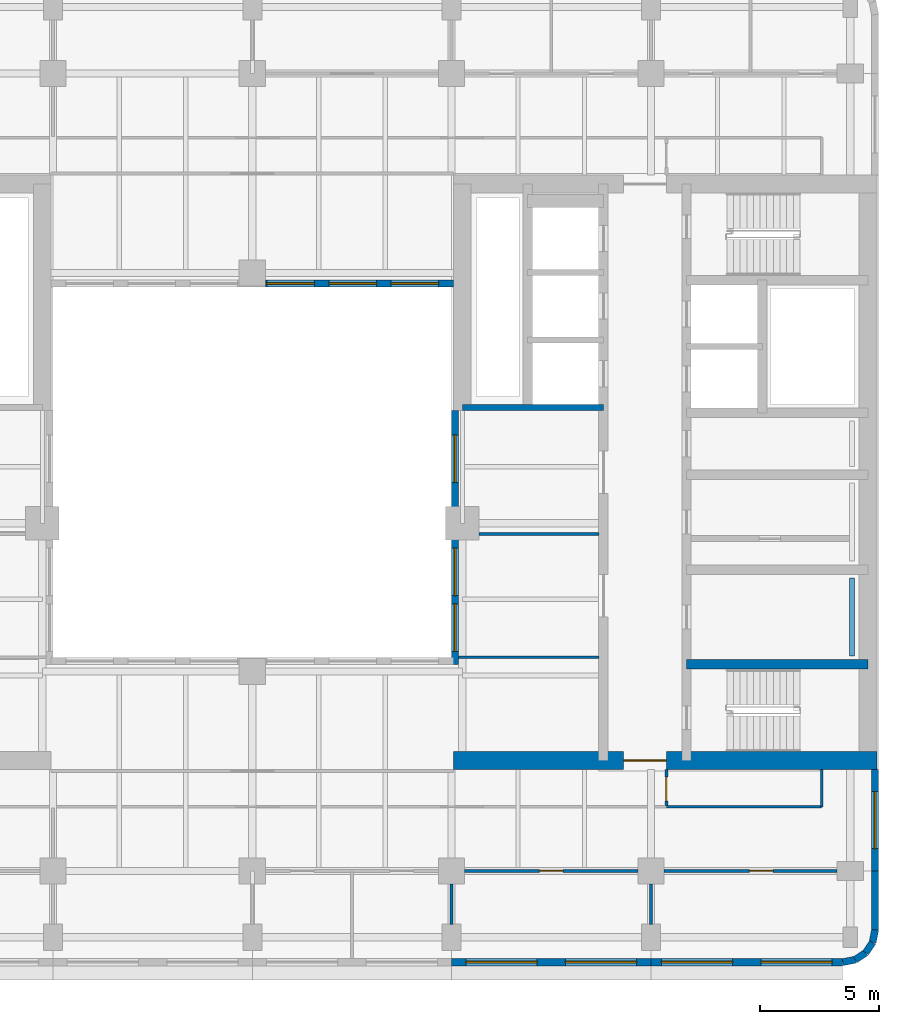
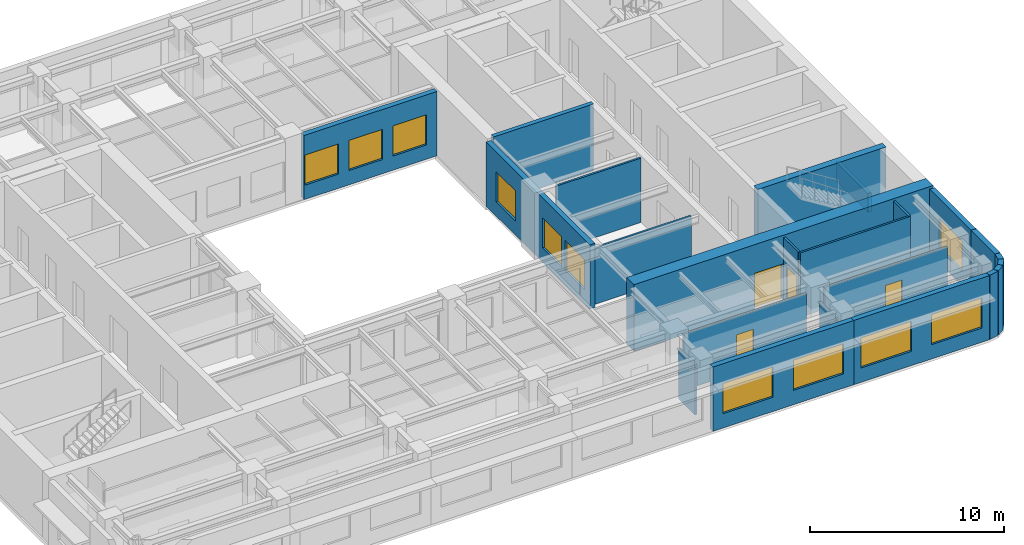
# One storey, part 5 of 11: 23 walls, 11 windows, 4 doors, 15 openings.
"""IFC4 building model written with IfcOpenShell, lengths in metres."""

from ifc_helpers import new_model, si_unit, direction, frame, frame_2d, origin, place, context, subcontext, project, spatial, rectangle, extrude, material, layer, layer_set, type_object, element, fill, save


model = new_model("IFC4")

# Units and contexts
model_context = context("Model", 3, precision=1e-05, world=origin(), true_north=direction((0.0, 1.0)))
body_context = subcontext(model_context, "Body", "Model", "MODEL_VIEW")
ifc_project = project(units=[si_unit("LENGTHUNIT", "METRE"), si_unit("AREAUNIT", "SQUARE_METRE"), si_unit("VOLUMEUNIT", "CUBIC_METRE"), si_unit("PLANEANGLEUNIT", "RADIAN"), si_unit("MASSUNIT", "GRAM", prefix="KILO")], contexts=[model_context])

# Site, building, storey
site_placement = place(None, origin())
site = spatial("IfcSite", under=ifc_project, at=site_placement, CompositionType="ELEMENT")
building_placement = place(site_placement, origin())
building = spatial("IfcBuilding", under=site, at=building_placement, Name="Claustro Exchange Tower", CompositionType="ELEMENT")
storey_placement = place(building_placement, frame((0.0, 0.0, 236.39990234375)))
storey = spatial("IfcBuildingStorey", under=building, at=storey_placement, Name="L54", CompositionType="ELEMENT", Elevation=236.39990234375)

# Walls
ifc_material_1 = material(Name="Laminated glass in aluminium frame", Category="aluminium")
ifc_layer_1 = layer(ifc_material_1, 0.1201171875)
ifc_layer_set_1 = layer_set([ifc_layer_1], Name="Laminated glass in aluminium frame")
wall_type_1 = type_object("IfcWallType", Name="P2 120 glazed partition", PredefinedType="PARTITIONING", material=ifc_layer_set_1)
wall_1_placement = place(storey_placement, frame((33.89794921875, 17.39990234375, 0.0), z_axis=(0.0, 0.0, 1.0), x_axis=(1.0, 0.0, 0.0)))
element("IfcWall", 1, at=wall_1_placement, inside=storey, type_object=wall_type_1, Name="Partition P2 L54", PredefinedType="PARTITIONING", context=body_context, shape_type="SweptSolid", body=[
    extrude(rectangle(XDim=5.904052734375, YDim=0.1201171875, at=frame_2d((2.9521484375, 0.0))), origin(), (0.0, 0.0, 1.0), 3.550048828125),
])
wall_2_placement = place(storey_placement, frame((34.7490234375, 22.60009765625, 0.0), z_axis=(0.0, 0.0, 1.0), x_axis=(1.0, 0.0, 0.0)))
element("IfcWall", 2, at=wall_2_placement, inside=storey, type_object=wall_type_1, Name="Partition P2 L54", PredefinedType="PARTITIONING", context=body_context, shape_type="SweptSolid", body=[
    extrude(rectangle(XDim=5.052978515625, YDim=0.1201171875, at=frame_2d((2.5263671875, 0.0))), origin(), (0.0, 0.0, 1.0), 4.050048828125),
])

# Wall, opening, door
wall_3_placement = place(storey_placement, frame((34.14892578125, 8.39990234375, 0.0), z_axis=(0.0, 0.0, 1.0), x_axis=(1.0, 0.0, 0.0)))
wall_3 = element("IfcWall", 3, at=wall_3_placement, inside=storey, type_object=wall_type_1, Name="Partition P2 L54", PredefinedType="PARTITIONING", context=body_context, shape_type="SweptSolid", body=[
    extrude(rectangle(XDim=7.302001953125, YDim=0.1201171875, at=frame_2d((3.65087890625, 0.0))), origin(), (0.0, 0.0, 1.0), 3.550048828125),
])
opening_1_placement = place(wall_3_placement, frame((3.15087890625, 0.0, 0.0)))
opening_1 = element("IfcOpeningElement", 4, at=opening_1_placement, cuts=wall_3, Name="Opening D7", PredefinedType="OPENING", context=body_context, shape_type="SweptSolid", body=[
    extrude(rectangle(XDim=1.0, YDim=2.39990234375, at=frame_2d((0.5, 1.199951171875))), frame((0.0, 0.070068359375, 0.0), z_axis=(0.0, -1.0, 0.0), x_axis=(1.0, 0.0, 0.0)), (0.0, 0.0, 1.0), 0.14013671875),
])
ifc_material_2 = material(Name="Glass door in aluminium frame", Category="aluminium")
door_type_1 = type_object("IfcDoorType", Name="D7 1000 x 2400 glazed door", OperationType="SINGLE_SWING_LEFT", PredefinedType="DOOR", material=ifc_material_2)
door_1_placement = place(opening_1_placement, frame((1.0, 0.0, 0.0), z_axis=(0.0, 0.0, 1.0), x_axis=(-1.0, 0.0, 0.0)))
door_1 = element("IfcDoor", 5, at=door_1_placement, inside=storey, type_object=door_type_1, Name="Door D7 L54", OperationType="SINGLE_SWING_RIGHT", OverallHeight=2.39990234375, OverallWidth=1.0, PredefinedType="DOOR", context=body_context, shape_type="SweptSolid", body=[
    extrude(rectangle(XDim=1.0, YDim=2.39990234375, at=frame_2d((0.5, 1.199951171875))), frame((0.0, 0.02490234375, 0.0), z_axis=(0.0, -1.0, 0.0), x_axis=(1.0, 0.0, 0.0)), (0.0, 0.0, 1.0), 0.050048828125),
])
fill(opening_1, door_1)

wall_4_placement = place(storey_placement, frame((42.549072265625, 8.39990234375, 0.0), z_axis=(0.0, 0.0, 1.0), x_axis=(1.0, 0.0, 0.0)))
wall_4 = element("IfcWall", 6, at=wall_4_placement, inside=storey, type_object=wall_type_1, Name="Partition P2 L54", PredefinedType="PARTITIONING", context=body_context, shape_type="SweptSolid", body=[
    extrude(rectangle(XDim=7.302001953125, YDim=0.1201171875, at=frame_2d((3.65087890625, 0.0))), origin(), (0.0, 0.0, 1.0), 3.550048828125),
])
opening_2_placement = place(wall_4_placement, frame((3.60107421875, 0.0, 0.0)))
opening_2 = element("IfcOpeningElement", 7, at=opening_2_placement, cuts=wall_4, Name="Opening D7", PredefinedType="OPENING", context=body_context, shape_type="SweptSolid", body=[
    extrude(rectangle(XDim=1.0, YDim=2.39990234375, at=frame_2d((0.5, 1.199951171875))), frame((0.0, 0.070068359375, 0.0), z_axis=(0.0, -1.0, 0.0), x_axis=(1.0, 0.0, 0.0)), (0.0, 0.0, 1.0), 0.14013671875),
])
door_2_placement = place(opening_2_placement, frame((1.0, 0.0, 0.0), z_axis=(0.0, 0.0, 1.0), x_axis=(-1.0, 0.0, 0.0)))
door_2 = element("IfcDoor", 8, at=door_2_placement, inside=storey, type_object=door_type_1, Name="Door D7 L54", OperationType="SINGLE_SWING_RIGHT", OverallHeight=2.39990234375, OverallWidth=1.0, PredefinedType="DOOR", context=body_context, shape_type="SweptSolid", body=[
    extrude(rectangle(XDim=1.0, YDim=2.39990234375, at=frame_2d((0.5, 1.199951171875))), frame((0.0, 0.02490234375, 0.0), z_axis=(0.0, -1.0, 0.0), x_axis=(1.0, 0.0, 0.0)), (0.0, 0.0, 1.0), 0.050048828125),
])
fill(opening_2, door_2)

# Walls
for number, where, z_axis, x_axis, name in (
    (9, (33.60009765625, 6.14892578125, 0.0), (0.0, 0.0, 1.0), (0.0, 1.0, 0.0), "Partition P2 L54"),
    (10, (42.0, 6.14892578125, 0.0), (0.0, 0.0, 1.0), (0.0, 1.0, 0.0), "Partition P2 L54"),
):
    element("IfcWall", number, at=place(storey_placement, frame(where, z_axis=z_axis, x_axis=x_axis)), inside=storey, type_object=wall_type_1, Name=name, PredefinedType="PARTITIONING", context=body_context, shape_type="SweptSolid", body=[
        extrude(rectangle(XDim=1.7021484375, YDim=0.1201171875, at=frame_2d((0.85107421875, 0.0))), origin(), (0.0, 0.0, 1.0), 3.150146484375),
    ])

# Wall, opening, door
wall_5_placement = place(storey_placement, frame((42.64990234375, 11.157958984375, 0.0), z_axis=(0.0, 0.0, 1.0), x_axis=(0.0, 1.0, 0.0)))
wall_5 = element("IfcWall", 11, at=wall_5_placement, inside=storey, type_object=wall_type_1, Name="Partition P2 L54", PredefinedType="PARTITIONING", context=body_context, shape_type="SweptSolid", body=[
    extrude(rectangle(XDim=1.51806640625, YDim=0.1201171875, at=frame_2d((0.759033203125, 0.0))), origin(), (0.0, 0.0, 1.0), 4.050048828125),
])
opening_3_placement = place(wall_5_placement, frame((0.19189453125, 0.0, 0.0)))
opening_3 = element("IfcOpeningElement", 12, at=opening_3_placement, cuts=wall_5, Name="Opening D7", PredefinedType="OPENING", context=body_context, shape_type="SweptSolid", body=[
    extrude(rectangle(XDim=1.0, YDim=2.39990234375, at=frame_2d((0.5, 1.199951171875))), frame((0.0, 0.070068359375, 0.0), z_axis=(0.0, -1.0, 0.0), x_axis=(1.0, 0.0, 0.0)), (0.0, 0.0, 1.0), 0.14013671875),
])
door_3_placement = place(opening_3_placement, frame((1.0, 0.0, 0.0), z_axis=(0.0, 0.0, 1.0), x_axis=(-1.0, 0.0, 0.0)))
door_3 = element("IfcDoor", 13, at=door_3_placement, inside=storey, type_object=door_type_1, Name="Door D7 L54", OperationType="SINGLE_SWING_RIGHT", OverallHeight=2.39990234375, OverallWidth=1.0, PredefinedType="DOOR", context=body_context, shape_type="SweptSolid", body=[
    extrude(rectangle(XDim=1.0, YDim=2.39990234375, at=frame_2d((0.5, 1.199951171875))), frame((0.0, 0.02490234375, 0.0), z_axis=(0.0, -1.0, 0.0), x_axis=(1.0, 0.0, 0.0)), (0.0, 0.0, 1.0), 0.050048828125),
])
fill(opening_3, door_3)

# Walls
wall_6_placement = place(storey_placement, frame((42.64794921875, 11.10009765625, 0.0), z_axis=(0.0, 0.0, 1.0), x_axis=(1.0, 0.0, 0.0)))
element("IfcWall", 14, at=wall_6_placement, inside=storey, type_object=wall_type_1, Name="Partition P2 L54", PredefinedType="PARTITIONING", context=body_context, shape_type="SweptSolid", body=[
    extrude(rectangle(XDim=6.552001953125, YDim=0.1201171875, at=frame_2d((3.27587890625, 0.0))), origin(), (0.0, 0.0, 1.0), 4.050048828125),
])
wall_7_placement = place(storey_placement, frame((49.199951171875, 11.10009765625, 0.0), z_axis=(0.0, 0.0, 1.0), x_axis=(0.0, 1.0, 0.0)))
element("IfcWall", 15, at=wall_7_placement, inside=storey, type_object=wall_type_1, Name="Partition P2 L54", PredefinedType="PARTITIONING", context=body_context, shape_type="SweptSolid", body=[
    extrude(rectangle(XDim=1.575927734375, YDim=0.1201171875, at=frame_2d((0.7880859375, 0.0))), origin(), (0.0, 0.0, 1.0), 4.050048828125),
])

# Wall, openings, windows
ifc_material_3 = material(Name="Concrete HA-40 (C40/50), precast, white cement, acid-etched", Category="concrete")
ifc_layer_2 = layer(ifc_material_3, 0.300048828125)
ifc_layer_set_2 = layer_set([ifc_layer_2], Name="Concrete HA-40 (C40/50), precast, white cement, acid-etched")
wall_type_2 = type_object("IfcWallType", Name="PC1 300 precast concrete pier panel", PredefinedType="SOLIDWALL", material=ifc_layer_set_2)
wall_8_placement = place(storey_placement, frame((50.085205078125, 4.550048828125, 0.0), z_axis=(0.0, 0.0, 1.0), x_axis=(-1.0, 0.0, 0.0)))
wall_8 = element("IfcWall", 16, at=wall_8_placement, inside=storey, type_object=wall_type_2, Name="Precast pier panel PC1 L54", PredefinedType="SOLIDWALL", context=body_context, shape_type="SweptSolid", body=[
    extrude(rectangle(XDim=8.085205078125, YDim=0.300048828125, at=frame_2d((4.04248046875, 0.0))), origin(), (0.0, 0.0, 1.0), 4.050048828125),
])
opening_4_placement = place(wall_8_placement, frame((0.442626953125, 0.0, 0.89990234375)))
opening_4 = element("IfcOpeningElement", 17, at=opening_4_placement, cuts=wall_8, Name="Opening W1", PredefinedType="OPENING", context=body_context, shape_type="SweptSolid", body=[
    extrude(rectangle(XDim=3.0, YDim=1.89990234375, at=frame_2d((1.5, 0.949951171875))), frame((0.0, 0.159912109375, 0.0), z_axis=(0.0, -1.0, 0.0), x_axis=(1.0, 0.0, 0.0)), (0.0, 0.0, 1.0), 0.320068359375),
])
opening_5_placement = place(wall_8_placement, frame((4.642578125, 0.0, 0.89990234375)))
opening_5 = element("IfcOpeningElement", 18, at=opening_5_placement, cuts=wall_8, Name="Opening W1", PredefinedType="OPENING", context=body_context, shape_type="SweptSolid", body=[
    extrude(rectangle(XDim=3.0, YDim=1.89990234375, at=frame_2d((1.5, 0.949951171875))), frame((0.0, 0.159912109375, 0.0), z_axis=(0.0, -1.0, 0.0), x_axis=(1.0, 0.0, 0.0)), (0.0, 0.0, 1.0), 0.320068359375),
])
ifc_material_4 = material(Name="Aluminium frame, clear double glazing", Category="aluminium")
window_type_1 = type_object("IfcWindowType", Name="W1 3000 x 1900 window", PartitioningType="SINGLE_PANEL", PredefinedType="WINDOW", material=ifc_material_4)
window_1_placement = place(opening_4_placement, origin())
window_1 = element("IfcWindow", 19, at=window_1_placement, inside=storey, type_object=window_type_1, Name="Window W1 L54", OverallHeight=1.89990234375, OverallWidth=3.0, PartitioningType="SINGLE_PANEL", PredefinedType="WINDOW", context=body_context, shape_type="SweptSolid", body=[
    extrude(rectangle(XDim=3.0, YDim=1.89990234375, at=frame_2d((1.5, 0.949951171875))), frame((0.0, 0.030029296875, 0.0), z_axis=(0.0, -1.0, 0.0), x_axis=(1.0, 0.0, 0.0)), (0.0, 0.0, 1.0), 0.06005859375),
])
fill(opening_4, window_1)
window_2_placement = place(opening_5_placement, origin())
window_2 = element("IfcWindow", 20, at=window_2_placement, inside=storey, type_object=window_type_1, Name="Window W1 L54", OverallHeight=1.89990234375, OverallWidth=3.0, PartitioningType="SINGLE_PANEL", PredefinedType="WINDOW", context=body_context, shape_type="SweptSolid", body=[
    extrude(rectangle(XDim=3.0, YDim=1.89990234375, at=frame_2d((1.5, 0.949951171875))), frame((0.0, 0.030029296875, 0.0), z_axis=(0.0, -1.0, 0.0), x_axis=(1.0, 0.0, 0.0)), (0.0, 0.0, 1.0), 0.06005859375),
])
fill(opening_5, window_2)

wall_9_placement = place(storey_placement, frame((42.0, 4.550048828125, 0.0), z_axis=(0.0, 0.0, 1.0), x_axis=(-1.0, 0.0, 0.0)))
wall_9 = element("IfcWall", 21, at=wall_9_placement, inside=storey, type_object=wall_type_2, Name="Precast pier panel PC1 L54", PredefinedType="SOLIDWALL", context=body_context, shape_type="SweptSolid", body=[
    extrude(rectangle(XDim=8.39990234375, YDim=0.300048828125, at=frame_2d((4.199951171875, 0.0))), origin(), (0.0, 0.0, 1.0), 4.050048828125),
])
opening_6_placement = place(wall_9_placement, frame((0.60009765625, 0.0, 0.89990234375)))
opening_6 = element("IfcOpeningElement", 22, at=opening_6_placement, cuts=wall_9, Name="Opening W1", PredefinedType="OPENING", context=body_context, shape_type="SweptSolid", body=[
    extrude(rectangle(XDim=3.0, YDim=1.89990234375, at=frame_2d((1.5, 0.949951171875))), frame((0.0, 0.159912109375, 0.0), z_axis=(0.0, -1.0, 0.0), x_axis=(1.0, 0.0, 0.0)), (0.0, 0.0, 1.0), 0.320068359375),
])
opening_7_placement = place(wall_9_placement, frame((4.800048828125, 0.0, 0.89990234375)))
opening_7 = element("IfcOpeningElement", 23, at=opening_7_placement, cuts=wall_9, Name="Opening W1", PredefinedType="OPENING", context=body_context, shape_type="SweptSolid", body=[
    extrude(rectangle(XDim=3.0, YDim=1.89990234375, at=frame_2d((1.5, 0.949951171875))), frame((0.0, 0.159912109375, 0.0), z_axis=(0.0, -1.0, 0.0), x_axis=(1.0, 0.0, 0.0)), (0.0, 0.0, 1.0), 0.320068359375),
])
window_3_placement = place(opening_6_placement, origin())
window_3 = element("IfcWindow", 24, at=window_3_placement, inside=storey, type_object=window_type_1, Name="Window W1 L54", OverallHeight=1.89990234375, OverallWidth=3.0, PartitioningType="SINGLE_PANEL", PredefinedType="WINDOW", context=body_context, shape_type="SweptSolid", body=[
    extrude(rectangle(XDim=3.0, YDim=1.89990234375, at=frame_2d((1.5, 0.949951171875))), frame((0.0, 0.030029296875, 0.0), z_axis=(0.0, -1.0, 0.0), x_axis=(1.0, 0.0, 0.0)), (0.0, 0.0, 1.0), 0.06005859375),
])
fill(opening_6, window_3)
window_4_placement = place(opening_7_placement, origin())
window_4 = element("IfcWindow", 25, at=window_4_placement, inside=storey, type_object=window_type_1, Name="Window W1 L54", OverallHeight=1.89990234375, OverallWidth=3.0, PartitioningType="SINGLE_PANEL", PredefinedType="WINDOW", context=body_context, shape_type="SweptSolid", body=[
    extrude(rectangle(XDim=3.0, YDim=1.89990234375, at=frame_2d((1.5, 0.949951171875))), frame((0.0, 0.030029296875, 0.0), z_axis=(0.0, -1.0, 0.0), x_axis=(1.0, 0.0, 0.0)), (0.0, 0.0, 1.0), 0.06005859375),
])
fill(opening_7, window_4)

# Wall, opening, window
wall_10_placement = place(storey_placement, frame((51.449951171875, 12.675048828125, 0.0), z_axis=(0.0, 0.0, 1.0), x_axis=(0.0, -1.0, 0.0)))
wall_10 = element("IfcWall", 26, at=wall_10_placement, inside=storey, type_object=wall_type_2, Name="Precast pier panel PC1 L54", PredefinedType="SOLIDWALL", context=body_context, shape_type="SweptSolid", body=[
    extrude(rectangle(XDim=4.275146484375, YDim=0.300048828125, at=frame_2d((2.1376953125, 0.0))), origin(), (0.0, 0.0, 1.0), 4.050048828125),
])
opening_8_placement = place(wall_10_placement, frame((0.9375, 0.0, 0.89990234375)))
opening_8 = element("IfcOpeningElement", 27, at=opening_8_placement, cuts=wall_10, Name="Opening W2", PredefinedType="OPENING", context=body_context, shape_type="SweptSolid", body=[
    extrude(rectangle(XDim=2.39990234375, YDim=1.89990234375, at=frame_2d((1.199951171875, 0.949951171875))), frame((0.0, 0.159912109375, 0.0), z_axis=(0.0, -1.0, 0.0), x_axis=(1.0, 0.0, 0.0)), (0.0, 0.0, 1.0), 0.320068359375),
])
ifc_material_5 = material(Name="Aluminium frame, clear double glazing", Category="aluminium")
window_type_2 = type_object("IfcWindowType", Name="W2 2400 x 1900 window", PartitioningType="SINGLE_PANEL", PredefinedType="WINDOW", material=ifc_material_5)
window_5_placement = place(opening_8_placement, origin())
window_5 = element("IfcWindow", 28, at=window_5_placement, inside=storey, type_object=window_type_2, Name="Window W2 L54", OverallHeight=1.89990234375, OverallWidth=2.39990234375, PartitioningType="SINGLE_PANEL", PredefinedType="WINDOW", context=body_context, shape_type="SweptSolid", body=[
    extrude(rectangle(XDim=2.39990234375, YDim=1.89990234375, at=frame_2d((1.199951171875, 0.949951171875))), frame((0.0, 0.030029296875, 0.0), z_axis=(0.0, -1.0, 0.0), x_axis=(1.0, 0.0, 0.0)), (0.0, 0.0, 1.0), 0.06005859375),
])
fill(opening_8, window_5)

# Walls
wall_11_placement = place(storey_placement, frame((51.449951171875, 8.39990234375, 0.0), z_axis=(0.0, 0.0, 1.0), x_axis=(0.0, -1.0, 0.0)))
element("IfcWall", 29, at=wall_11_placement, inside=storey, type_object=wall_type_2, Name="Precast pier panel PC1 L54", PredefinedType="SOLIDWALL", context=body_context, shape_type="SweptSolid", body=[
    extrude(rectangle(XDim=2.485107421875, YDim=0.300048828125, at=frame_2d((1.24267578125, 0.0))), origin(), (0.0, 0.0, 1.0), 4.050048828125),
])
wall_12_placement = place(storey_placement, frame((51.449951171875, 5.914794921875, 0.0), z_axis=(0.0, 0.0, 1.0), x_axis=(-0.195073962632, -0.980788534345, 0.0)))
element("IfcWall", 30, at=wall_12_placement, inside=storey, type_object=wall_type_2, Name="Precast pier panel PC1 L54", PredefinedType="SOLIDWALL", context=body_context, shape_type="SweptSolid", body=[
    extrude(rectangle(XDim=0.540771484375, YDim=0.300048828125, at=frame_2d((0.2705078125, 0.0))), origin(), (0.0, 0.0, 1.0), 4.050048828125),
])
for number, where, z_axis, x_axis, name in (
    (31, (51.344482421875, 5.384521484375, 0.0), (0.0, 0.0, 1.0), (-0.555557463938, -0.831478144188, 0.0), "Precast pier panel PC1 L54"),
    (32, (51.052490234375, 4.947509765625, 0.0), (0.0, 0.0, 1.0), (-0.831478144188, -0.555557463938, 0.0), "Precast pier panel PC1 L54"),
):
    element("IfcWall", number, at=place(storey_placement, frame(where, z_axis=z_axis, x_axis=x_axis)), inside=storey, type_object=wall_type_2, Name=name, PredefinedType="SOLIDWALL", context=body_context, shape_type="SweptSolid", body=[
        extrude(rectangle(XDim=0.525634765625, YDim=0.300048828125, at=frame_2d((0.2626953125, 0.0))), origin(), (0.0, 0.0, 1.0), 4.050048828125),
    ])
wall_13_placement = place(storey_placement, frame((50.615478515625, 4.655517578125, 0.0), z_axis=(0.0, 0.0, 1.0), x_axis=(-0.980788534345, -0.195073962632, 0.0)))
element("IfcWall", 33, at=wall_13_placement, inside=storey, type_object=wall_type_2, Name="Precast pier panel PC1 L54", PredefinedType="SOLIDWALL", context=body_context, shape_type="SweptSolid", body=[
    extrude(rectangle(XDim=0.540771484375, YDim=0.300048828125, at=frame_2d((0.2705078125, 0.0))), origin(), (0.0, 0.0, 1.0), 4.050048828125),
])

# Wall, openings, windows
wall_14_placement = place(storey_placement, frame((33.75, 17.10009765625, 0.0), z_axis=(0.0, 0.0, 1.0), x_axis=(0.0, 1.0, 0.0)))
wall_14 = element("IfcWall", 34, at=wall_14_placement, inside=storey, type_object=wall_type_2, Name="Precast pier panel PC1 L54", PredefinedType="SOLIDWALL", context=body_context, shape_type="SweptSolid", body=[
    extrude(rectangle(XDim=10.699951171875, YDim=0.300048828125, at=frame_2d((5.35009765625, 0.0))), origin(), (0.0, 0.0, 1.0), 4.050048828125),
])
opening_9_placement = place(wall_14_placement, frame((0.550048828125, 0.0, 0.89990234375)))
opening_9 = element("IfcOpeningElement", 35, at=opening_9_placement, cuts=wall_14, Name="Opening W4", PredefinedType="OPENING", context=body_context, shape_type="SweptSolid", body=[
    extrude(rectangle(XDim=2.0, YDim=1.89990234375, at=frame_2d((1.0, 0.949951171875))), frame((0.0, 0.159912109375, 0.0), z_axis=(0.0, -1.0, 0.0), x_axis=(1.0, 0.0, 0.0)), (0.0, 0.0, 1.0), 0.320068359375),
])
opening_10_placement = place(wall_14_placement, frame((2.89990234375, 0.0, 0.89990234375)))
opening_10 = element("IfcOpeningElement", 36, at=opening_10_placement, cuts=wall_14, Name="Opening W4", PredefinedType="OPENING", context=body_context, shape_type="SweptSolid", body=[
    extrude(rectangle(XDim=2.0, YDim=1.89990234375, at=frame_2d((1.0, 0.949951171875))), frame((0.0, 0.159912109375, 0.0), z_axis=(0.0, -1.0, 0.0), x_axis=(1.0, 0.0, 0.0)), (0.0, 0.0, 1.0), 0.320068359375),
])
opening_11_placement = place(wall_14_placement, frame((7.675048828125, 0.0, 0.89990234375)))
opening_11 = element("IfcOpeningElement", 37, at=opening_11_placement, cuts=wall_14, Name="Opening W4", PredefinedType="OPENING", context=body_context, shape_type="SweptSolid", body=[
    extrude(rectangle(XDim=2.0, YDim=1.89990234375, at=frame_2d((1.0, 0.949951171875))), frame((0.0, 0.159912109375, 0.0), z_axis=(0.0, -1.0, 0.0), x_axis=(1.0, 0.0, 0.0)), (0.0, 0.0, 1.0), 0.320068359375),
])
ifc_material_6 = material(Name="Aluminium frame, clear double glazing", Category="aluminium")
window_type_3 = type_object("IfcWindowType", Name="W4 2000 x 1900 light well window", PartitioningType="SINGLE_PANEL", PredefinedType="WINDOW", material=ifc_material_6)
window_6_placement = place(opening_9_placement, origin())
window_6 = element("IfcWindow", 38, at=window_6_placement, inside=storey, type_object=window_type_3, Name="Window W4 L54", OverallHeight=1.89990234375, OverallWidth=2.0, PartitioningType="SINGLE_PANEL", PredefinedType="WINDOW", context=body_context, shape_type="SweptSolid", body=[
    extrude(rectangle(XDim=2.0, YDim=1.89990234375, at=frame_2d((1.0, 0.949951171875))), frame((0.0, 0.030029296875, 0.0), z_axis=(0.0, -1.0, 0.0), x_axis=(1.0, 0.0, 0.0)), (0.0, 0.0, 1.0), 0.06005859375),
])
fill(opening_9, window_6)
window_7_placement = place(opening_10_placement, origin())
window_7 = element("IfcWindow", 39, at=window_7_placement, inside=storey, type_object=window_type_3, Name="Window W4 L54", OverallHeight=1.89990234375, OverallWidth=2.0, PartitioningType="SINGLE_PANEL", PredefinedType="WINDOW", context=body_context, shape_type="SweptSolid", body=[
    extrude(rectangle(XDim=2.0, YDim=1.89990234375, at=frame_2d((1.0, 0.949951171875))), frame((0.0, 0.030029296875, 0.0), z_axis=(0.0, -1.0, 0.0), x_axis=(1.0, 0.0, 0.0)), (0.0, 0.0, 1.0), 0.06005859375),
])
fill(opening_10, window_7)
window_8_placement = place(opening_11_placement, origin())
window_8 = element("IfcWindow", 40, at=window_8_placement, inside=storey, type_object=window_type_3, Name="Window W4 L54", OverallHeight=1.89990234375, OverallWidth=2.0, PartitioningType="SINGLE_PANEL", PredefinedType="WINDOW", context=body_context, shape_type="SweptSolid", body=[
    extrude(rectangle(XDim=2.0, YDim=1.89990234375, at=frame_2d((1.0, 0.949951171875))), frame((0.0, 0.030029296875, 0.0), z_axis=(0.0, -1.0, 0.0), x_axis=(1.0, 0.0, 0.0)), (0.0, 0.0, 1.0), 0.06005859375),
])
fill(opening_11, window_8)

wall_15_placement = place(storey_placement, frame((25.75, 33.14990234375, 0.0), z_axis=(0.0, 0.0, 1.0), x_axis=(1.0, 0.0, 0.0)))
wall_15 = element("IfcWall", 41, at=wall_15_placement, inside=storey, type_object=wall_type_2, Name="Precast pier panel PC1 L54", PredefinedType="SOLIDWALL", context=body_context, shape_type="SweptSolid", body=[
    extrude(rectangle(XDim=7.925048828125, YDim=0.300048828125, at=frame_2d((3.96240234375, 0.0))), origin(), (0.0, 0.0, 1.0), 4.050048828125),
])
opening_12_placement = place(wall_15_placement, frame((0.068603515625, 0.0, 0.89990234375)))
opening_12 = element("IfcOpeningElement", 42, at=opening_12_placement, cuts=wall_15, Name="Opening W4", PredefinedType="OPENING", context=body_context, shape_type="SweptSolid", body=[
    extrude(rectangle(XDim=2.0, YDim=1.89990234375, at=frame_2d((1.0, 0.949951171875))), frame((0.0, 0.159912109375, 0.0), z_axis=(0.0, -1.0, 0.0), x_axis=(1.0, 0.0, 0.0)), (0.0, 0.0, 1.0), 0.320068359375),
])
opening_13_placement = place(wall_15_placement, frame((2.6875, 0.0, 0.89990234375)))
opening_13 = element("IfcOpeningElement", 43, at=opening_13_placement, cuts=wall_15, Name="Opening W4", PredefinedType="OPENING", context=body_context, shape_type="SweptSolid", body=[
    extrude(rectangle(XDim=2.0, YDim=1.89990234375, at=frame_2d((1.0, 0.949951171875))), frame((0.0, 0.159912109375, 0.0), z_axis=(0.0, -1.0, 0.0), x_axis=(1.0, 0.0, 0.0)), (0.0, 0.0, 1.0), 0.320068359375),
])
opening_14_placement = place(wall_15_placement, frame((5.30615234375, 0.0, 0.89990234375)))
opening_14 = element("IfcOpeningElement", 44, at=opening_14_placement, cuts=wall_15, Name="Opening W4", PredefinedType="OPENING", context=body_context, shape_type="SweptSolid", body=[
    extrude(rectangle(XDim=2.0, YDim=1.89990234375, at=frame_2d((1.0, 0.949951171875))), frame((0.0, 0.159912109375, 0.0), z_axis=(0.0, -1.0, 0.0), x_axis=(1.0, 0.0, 0.0)), (0.0, 0.0, 1.0), 0.320068359375),
])
window_9_placement = place(opening_12_placement, origin())
window_9 = element("IfcWindow", 45, at=window_9_placement, inside=storey, type_object=window_type_3, Name="Window W4 L54", OverallHeight=1.89990234375, OverallWidth=2.0, PartitioningType="SINGLE_PANEL", PredefinedType="WINDOW", context=body_context, shape_type="SweptSolid", body=[
    extrude(rectangle(XDim=2.0, YDim=1.89990234375, at=frame_2d((1.0, 0.949951171875))), frame((0.0, 0.030029296875, 0.0), z_axis=(0.0, -1.0, 0.0), x_axis=(1.0, 0.0, 0.0)), (0.0, 0.0, 1.0), 0.06005859375),
])
fill(opening_12, window_9)
window_10_placement = place(opening_13_placement, origin())
window_10 = element("IfcWindow", 46, at=window_10_placement, inside=storey, type_object=window_type_3, Name="Window W4 L54", OverallHeight=1.89990234375, OverallWidth=2.0, PartitioningType="SINGLE_PANEL", PredefinedType="WINDOW", context=body_context, shape_type="SweptSolid", body=[
    extrude(rectangle(XDim=2.0, YDim=1.89990234375, at=frame_2d((1.0, 0.949951171875))), frame((0.0, 0.030029296875, 0.0), z_axis=(0.0, -1.0, 0.0), x_axis=(1.0, 0.0, 0.0)), (0.0, 0.0, 1.0), 0.06005859375),
])
fill(opening_13, window_10)
window_11_placement = place(opening_14_placement, origin())
window_11 = element("IfcWindow", 47, at=window_11_placement, inside=storey, type_object=window_type_3, Name="Window W4 L54", OverallHeight=1.89990234375, OverallWidth=2.0, PartitioningType="SINGLE_PANEL", PredefinedType="WINDOW", context=body_context, shape_type="SweptSolid", body=[
    extrude(rectangle(XDim=2.0, YDim=1.89990234375, at=frame_2d((1.0, 0.949951171875))), frame((0.0, 0.030029296875, 0.0), z_axis=(0.0, -1.0, 0.0), x_axis=(1.0, 0.0, 0.0)), (0.0, 0.0, 1.0), 0.06005859375),
])
fill(opening_14, window_11)

# Wall
ifc_material_7 = material(Name="Gypsum board on steel studs, tiled", Category="steel")
ifc_layer_3 = layer(ifc_material_7, 0.199951171875)
ifc_layer_set_3 = layer_set([ifc_layer_3], Name="Gypsum board on steel studs, tiled")
wall_type_3 = type_object("IfcWallType", Name="PW1 200 WC duct wall", PredefinedType="PLUMBINGWALL", material=ifc_layer_set_3)
wall_16_placement = place(storey_placement, frame((50.47509765625, 17.449951171875, 0.0), z_axis=(0.0, 0.0, 1.0), x_axis=(0.0, 1.0, 0.0)))
element("IfcWall", 48, at=wall_16_placement, inside=storey, type_object=wall_type_3, Name="WC duct wall PW1 L54", PredefinedType="PLUMBINGWALL", context=body_context, shape_type="SweptSolid", body=[
    extrude(rectangle(XDim=3.300048828125, YDim=0.199951171875, at=frame_2d((1.64990234375, 0.0))), origin(), (0.0, 0.0, 1.0), 1.2001953125),
])

# Wall, opening, door
ifc_material_8 = material(Name="Concrete HA-70 (C70/85)", Category="concrete")
ifc_layer_4 = layer(ifc_material_8, 0.75)
ifc_layer_set_4 = layer_set([ifc_layer_4], Name="Concrete HA-70 (C70/85)")
wall_type_4 = type_object("IfcWallType", Name="SW2 750 core shear wall", PredefinedType="SHEAR", material=ifc_layer_set_4)
wall_17_placement = place(storey_placement, frame((33.675048828125, 13.050048828125, 0.0), z_axis=(0.0, 0.0, 1.0), x_axis=(1.0, 0.0, 0.0)))
wall_17 = element("IfcWall", 49, at=wall_17_placement, inside=storey, type_object=wall_type_4, Name="Core wall SW2 E core S face L54", PredefinedType="SHEAR", context=body_context, shape_type="SweptSolid", body=[
    extrude(rectangle(XDim=17.849853515625, YDim=0.75, at=frame_2d((8.9248046875, 0.0))), origin(), (0.0, 0.0, 1.0), 4.2001953125),
])
opening_15_placement = place(wall_17_placement, frame((7.175048828125, 0.0, 0.0)))
opening_15 = element("IfcOpeningElement", 50, at=opening_15_placement, cuts=wall_17, Name="Opening D3", PredefinedType="OPENING", context=body_context, shape_type="SweptSolid", body=[
    extrude(rectangle(XDim=1.800048828125, YDim=2.39990234375, at=frame_2d((0.89990234375, 1.199951171875))), frame((0.0, 0.385009765625, 0.0), z_axis=(0.0, -1.0, 0.0), x_axis=(1.0, 0.0, 0.0)), (0.0, 0.0, 1.0), 0.77001953125),
])
ifc_material_9 = material(Name="Steel fire door, painted", Category="steel")
door_type_2 = type_object("IfcDoorType", Name="D3 1800 x 2400 fire-rated lobby double door", OperationType="DOUBLE_DOOR_SINGLE_SWING", PredefinedType="DOOR", material=ifc_material_9)
door_4_placement = place(opening_15_placement, origin())
door_4 = element("IfcDoor", 51, at=door_4_placement, inside=storey, type_object=door_type_2, Name="Lift lobby door D3 L54", OperationType="DOUBLE_DOOR_SINGLE_SWING", OverallHeight=2.39990234375, OverallWidth=1.800048828125, PredefinedType="DOOR", context=body_context, shape_type="SweptSolid", body=[
    extrude(rectangle(XDim=1.800048828125, YDim=2.39990234375, at=frame_2d((0.89990234375, 1.199951171875))), frame((0.0, 0.02490234375, 0.0), z_axis=(0.0, -1.0, 0.0), x_axis=(1.0, 0.0, 0.0)), (0.0, 0.0, 1.0), 0.050048828125),
])
fill(opening_15, door_4)

# Walls
ifc_material_10 = material(Name="Concrete HA-50 (C50/60)", Category="concrete")
ifc_layer_5 = layer(ifc_material_10, 0.39990234375)
ifc_layer_set_5 = layer_set([ifc_layer_5], Name="Concrete HA-50 (C50/60)")
wall_type_5 = type_object("IfcWallType", Name="SW4 400 internal core wall", PredefinedType="SHEAR", material=ifc_layer_set_5)
wall_18_placement = place(storey_placement, frame((51.14990234375, 17.10009765625, 0.0), z_axis=(0.0, 0.0, 1.0), x_axis=(-1.0, 0.0, 0.0)))
element("IfcWall", 52, at=wall_18_placement, inside=storey, type_object=wall_type_5, Name="Internal core wall SW4 E core L54", PredefinedType="SHEAR", context=body_context, shape_type="SweptSolid", body=[
    extrude(rectangle(XDim=7.64990234375, YDim=0.39990234375, at=frame_2d((3.824951171875, 0.0))), origin(), (0.0, 0.0, 1.0), 4.2001953125),
])
ifc_material_11 = material(Name="Concrete HA-50 (C50/60)", Category="concrete")
ifc_layer_6 = layer(ifc_material_11, 0.25)
ifc_layer_set_6 = layer_set([ifc_layer_6], Name="Concrete HA-50 (C50/60)")
wall_type_6 = type_object("IfcWallType", Name="SW5 250 lift shaft divider wall", PredefinedType="SHEAR", material=ifc_layer_set_6)
wall_19_placement = place(storey_placement, frame((40.0, 27.925048828125, 0.0), z_axis=(0.0, 0.0, 1.0), x_axis=(-1.0, 0.0, 0.0)))
element("IfcWall", 53, at=wall_19_placement, inside=storey, type_object=wall_type_6, Name="Core step wall E core L54", PredefinedType="SHEAR", context=body_context, shape_type="SweptSolid", body=[
    extrude(rectangle(XDim=5.949951171875, YDim=0.25, at=frame_2d((2.97509765625, 0.0))), origin(), (0.0, 0.0, 1.0), 4.2001953125),
])

save(model, "model.ifc")
